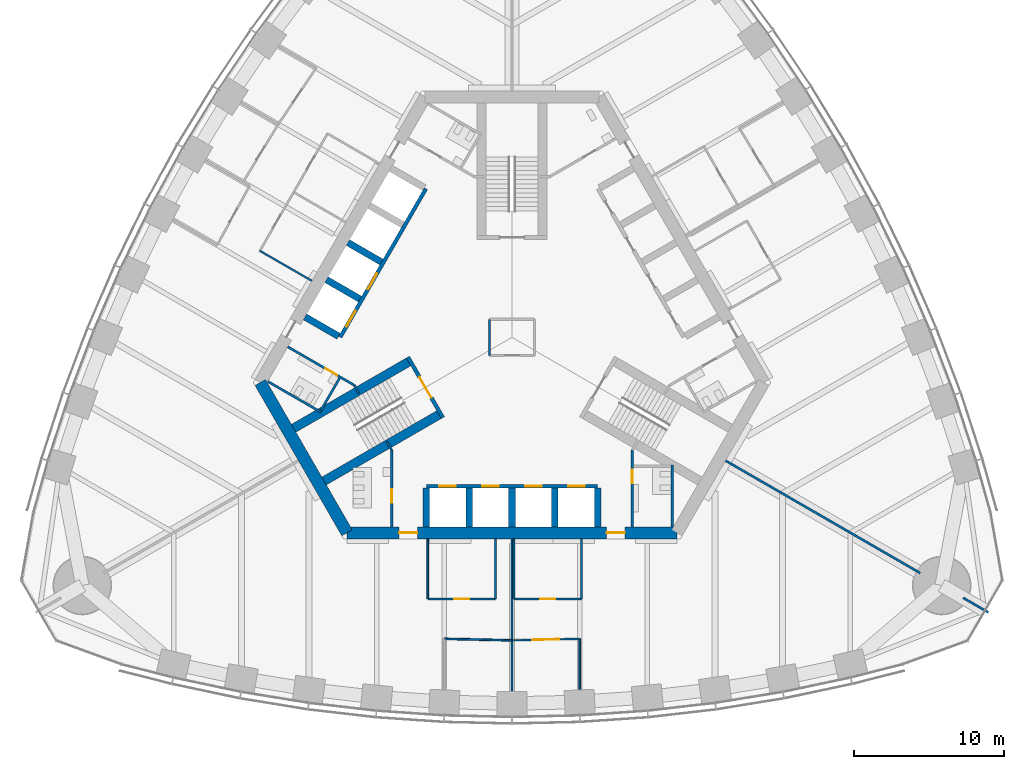
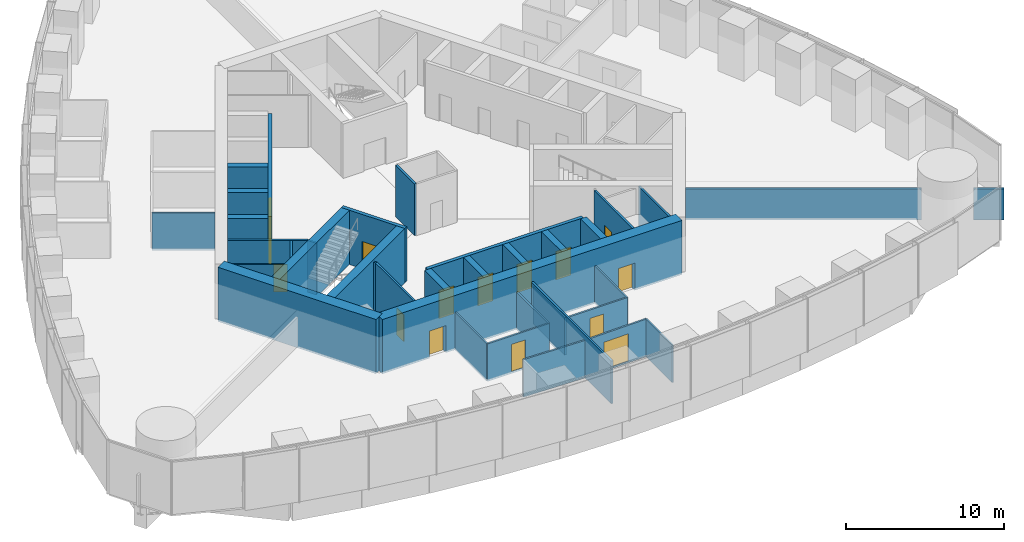
# One storey, part 11 of 18: 37 walls, 15 doors, 15 openings.
"""IFC4 building model written with IfcOpenShell, lengths in metres."""

from ifc_helpers import new_model, si_unit, direction, frame, frame_2d, origin, place, context, subcontext, project, spatial, rectangle, extrude, material, layer, layer_set, type_object, element, fill, save


model = new_model("IFC4")

# Units and contexts
model_context = context("Model", 3, precision=1e-05, world=origin(), true_north=direction((0.0, 1.0)))
body_context = subcontext(model_context, "Body", "Model", "MODEL_VIEW")
ifc_project = project(units=[si_unit("LENGTHUNIT", "METRE"), si_unit("AREAUNIT", "SQUARE_METRE"), si_unit("VOLUMEUNIT", "CUBIC_METRE"), si_unit("PLANEANGLEUNIT", "RADIAN"), si_unit("MASSUNIT", "GRAM", prefix="KILO")], contexts=[model_context])

# Site, building, storey
site_placement = place(None, origin())
site = spatial("IfcSite", under=ifc_project, at=site_placement, CompositionType="ELEMENT")
building_placement = place(site_placement, origin())
building = spatial("IfcBuilding", under=site, at=building_placement, Name="Trefoil Bronze Tower", CompositionType="ELEMENT")
storey_placement = place(building_placement, frame((0.0, 0.0, 202.300048828125)))
storey = spatial("IfcBuildingStorey", under=building, at=storey_placement, Name="L46", CompositionType="ELEMENT", Elevation=202.300048828125)

# Wall, openings, doors
ifc_material_1 = material(Name="Concrete B80", Category="concrete")
ifc_layer_1 = layer(ifc_material_1, 0.800048828125)
ifc_layer_set_1 = layer_set([ifc_layer_1], Name="Core wall 800")
wall_type_1 = type_object("IfcWallType", Name="Core wall 800", PredefinedType="SHEAR", material=ifc_layer_set_1)
wall_1_placement = place(storey_placement, frame((-10.9697265625, -13.0, 0.0), z_axis=(0.0, 0.0, 1.0), x_axis=(1.0, 0.0, 0.0)))
wall_1 = element("IfcWall", 1, at=wall_1_placement, inside=storey, type_object=wall_type_1, Name="Core long wall 1 L46", PredefinedType="SHEAR", context=body_context, shape_type="SweptSolid", body=[
    extrude(rectangle(XDim=21.939453125, YDim=0.800048828125, at=frame_2d((10.9697265625, 0.0))), origin(), (0.0, 0.0, 1.0), 4.199951171875),
])
opening_1_placement = place(wall_1_placement, frame((17.269775390625, 0.0, 0.0)))
opening_1 = element("IfcOpeningElement", 2, at=opening_1_placement, cuts=wall_1, Name="Opening D2", PredefinedType="OPENING", context=body_context, shape_type="SweptSolid", body=[
    extrude(rectangle(XDim=1.199951171875, YDim=2.10009765625, at=frame_2d((0.60009765625, 1.050048828125))), frame((0.0, 0.409912109375, 0.0), z_axis=(0.0, -1.0, 0.0), x_axis=(1.0, 0.0, 0.0)), (0.0, 0.0, 1.0), 0.820068359375),
])
opening_2_placement = place(wall_1_placement, frame((3.4697265625, 0.0, 0.0)))
opening_2 = element("IfcOpeningElement", 3, at=opening_2_placement, cuts=wall_1, Name="Opening D2", PredefinedType="OPENING", context=body_context, shape_type="SweptSolid", body=[
    extrude(rectangle(XDim=1.199951171875, YDim=2.10009765625, at=frame_2d((0.60009765625, 1.050048828125))), frame((0.0, 0.409912109375, 0.0), z_axis=(0.0, -1.0, 0.0), x_axis=(1.0, 0.0, 0.0)), (0.0, 0.0, 1.0), 0.820068359375),
])
ifc_material_2 = material(Name="Steel door", Category="steel")
door_type_1 = type_object("IfcDoorType", Name="Lobby door 1200", OperationType="SINGLE_SWING_RIGHT", PredefinedType="DOOR", material=ifc_material_2)
door_1_placement = place(opening_1_placement, origin())
door_1 = element("IfcDoor", 4, at=door_1_placement, inside=storey, type_object=door_type_1, Name="Lobby door F1+ L46", OperationType="SINGLE_SWING_RIGHT", OverallHeight=2.10009765625, OverallWidth=1.199951171875, PredefinedType="DOOR", context=body_context, shape_type="SweptSolid", body=[
    extrude(rectangle(XDim=1.199951171875, YDim=2.10009765625, at=frame_2d((0.60009765625, 1.050048828125))), frame((0.0, 0.02490234375, 0.0), z_axis=(0.0, -1.0, 0.0), x_axis=(1.0, 0.0, 0.0)), (0.0, 0.0, 1.0), 0.050048828125),
])
fill(opening_1, door_1)
door_2_placement = place(opening_2_placement, origin())
door_2 = element("IfcDoor", 5, at=door_2_placement, inside=storey, type_object=door_type_1, Name="Lobby door F1- L46", OperationType="SINGLE_SWING_LEFT", OverallHeight=2.10009765625, OverallWidth=1.199951171875, PredefinedType="DOOR", context=body_context, shape_type="SweptSolid", body=[
    extrude(rectangle(XDim=1.199951171875, YDim=2.10009765625, at=frame_2d((0.60009765625, 1.050048828125))), frame((0.0, 0.02490234375, 0.0), z_axis=(0.0, -1.0, 0.0), x_axis=(1.0, 0.0, 0.0)), (0.0, 0.0, 1.0), 0.050048828125),
])
fill(opening_2, door_2)

# Wall
wall_2_placement = place(storey_placement, frame((-16.7431640625, -3.0, 0.0), z_axis=(0.0, 0.0, 1.0), x_axis=(0.499995765644, -0.866027848477, 0.0)))
element("IfcWall", 6, at=wall_2_placement, inside=storey, type_object=wall_type_1, Name="Core short wall 3 L46", PredefinedType="SHEAR", context=body_context, shape_type="SweptSolid", body=[
    extrude(rectangle(XDim=11.546875, YDim=0.800048828125, at=frame_2d((5.7734375, 0.0))), origin(), (0.0, 0.0, 1.0), 4.199951171875),
])

# Wall, opening, door
ifc_material_3 = material(Name="Glazed partition", Category="glass")
ifc_layer_2 = layer(ifc_material_3, 0.1201171875)
ifc_layer_set_2 = layer_set([ifc_layer_2], Name="Glazed partition 120")
wall_type_2 = type_object("IfcWallType", Name="Glazed partition 120", PredefinedType="PARTITIONING", material=ifc_layer_set_2)
wall_3_placement = place(storey_placement, frame((0.125, -17.39990234375, 0.0), z_axis=(0.0, 0.0, 1.0), x_axis=(1.0, 0.0, 0.0)))
wall_3 = element("IfcWall", 7, at=wall_3_placement, inside=storey, type_object=wall_type_2, Name="Partition F1 L46", PredefinedType="PARTITIONING", context=body_context, shape_type="SweptSolid", body=[
    extrude(rectangle(XDim=4.5, YDim=0.1201171875, at=frame_2d((2.25, 0.0))), origin(), (0.0, 0.0, 1.0), 2.89990234375),
])
opening_3_placement = place(wall_3_placement, frame((1.75, 0.0, 0.14990234375)))
opening_3 = element("IfcOpeningElement", 8, at=opening_3_placement, cuts=wall_3, Name="Opening D9", PredefinedType="OPENING", context=body_context, shape_type="SweptSolid", body=[
    extrude(rectangle(XDim=1.0, YDim=2.10009765625, at=frame_2d((0.5, 1.050048828125))), frame((0.0, 0.070068359375, 0.0), z_axis=(0.0, -1.0, 0.0), x_axis=(1.0, 0.0, 0.0)), (0.0, 0.0, 1.0), 0.14013671875),
])
ifc_material_4 = material(Name="Glazed timber door", Category="wood")
door_type_2 = type_object("IfcDoorType", Name="Meeting room door 1000", OperationType="SINGLE_SWING_LEFT", PredefinedType="DOOR", material=ifc_material_4)
door_3_placement = place(opening_3_placement, origin())
door_3 = element("IfcDoor", 9, at=door_3_placement, inside=storey, type_object=door_type_2, Name="Project room door F1 L46", OperationType="SINGLE_SWING_LEFT", OverallHeight=2.10009765625, OverallWidth=1.0, PredefinedType="DOOR", context=body_context, shape_type="SweptSolid", body=[
    extrude(rectangle(XDim=1.0, YDim=2.10009765625, at=frame_2d((0.5, 1.050048828125))), frame((0.0, 0.02490234375, 0.0), z_axis=(0.0, -1.0, 0.0), x_axis=(1.0, 0.0, 0.0)), (0.0, 0.0, 1.0), 0.050048828125),
])
fill(opening_3, door_3)

wall_4_placement = place(storey_placement, frame((-5.60009765625, -17.39990234375, 0.0), z_axis=(0.0, 0.0, 1.0), x_axis=(1.0, 0.0, 0.0)))
wall_4 = element("IfcWall", 10, at=wall_4_placement, inside=storey, type_object=wall_type_2, Name="Partition F1 L46", PredefinedType="PARTITIONING", context=body_context, shape_type="SweptSolid", body=[
    extrude(rectangle(XDim=4.5, YDim=0.1201171875, at=frame_2d((2.25, 0.0))), origin(), (0.0, 0.0, 1.0), 2.89990234375),
])
opening_4_placement = place(wall_4_placement, frame((1.75, 0.0, 0.14990234375)))
opening_4 = element("IfcOpeningElement", 11, at=opening_4_placement, cuts=wall_4, Name="Opening D9", PredefinedType="OPENING", context=body_context, shape_type="SweptSolid", body=[
    extrude(rectangle(XDim=1.0, YDim=2.10009765625, at=frame_2d((0.5, 1.050048828125))), frame((0.0, 0.070068359375, 0.0), z_axis=(0.0, -1.0, 0.0), x_axis=(1.0, 0.0, 0.0)), (0.0, 0.0, 1.0), 0.14013671875),
])
door_4_placement = place(opening_4_placement, origin())
door_4 = element("IfcDoor", 12, at=door_4_placement, inside=storey, type_object=door_type_2, Name="Project room door F1 L46", OperationType="SINGLE_SWING_LEFT", OverallHeight=2.10009765625, OverallWidth=1.0, PredefinedType="DOOR", context=body_context, shape_type="SweptSolid", body=[
    extrude(rectangle(XDim=1.0, YDim=2.10009765625, at=frame_2d((0.5, 1.050048828125))), frame((0.0, 0.02490234375, 0.0), z_axis=(0.0, -1.0, 0.0), x_axis=(1.0, 0.0, 0.0)), (0.0, 0.0, 1.0), 0.050048828125),
])
fill(opening_4, door_4)

# Walls
for number, where, z_axis, x_axis, name in (
    (13, (0.125, -13.39990234375, 0.0), (0.0, 0.0, 1.0), (0.0, -1.0, 0.0), "Partition F1 L46"),
    (14, (4.625, -13.39990234375, 0.0), (0.0, 0.0, 1.0), (0.0, -1.0, 0.0), "Partition F1 L46"),
    (15, (-1.10009765625, -13.39990234375, 0.0), (0.0, 0.0, 1.0), (0.0, -1.0, 0.0), "Partition F1 L46"),
    (16, (-5.60009765625, -13.39990234375, 0.0), (0.0, 0.0, 1.0), (0.0, -1.0, 0.0), "Partition F1 L46"),
):
    element("IfcWall", number, at=place(storey_placement, frame(where, z_axis=z_axis, x_axis=x_axis)), inside=storey, type_object=wall_type_2, Name=name, PredefinedType="PARTITIONING", context=body_context, shape_type="SweptSolid", body=[
        extrude(rectangle(XDim=4.0, YDim=0.1201171875, at=frame_2d((2.0, 0.0))), origin(), (0.0, 0.0, 1.0), 2.89990234375),
    ])

# Wall, opening, door
wall_5_placement = place(storey_placement, frame((0.0, -20.150634765625, 0.0), z_axis=(0.0, 0.0, 1.0), x_axis=(0.99973552509, 0.022997388381, 0.0)))
wall_5 = element("IfcWall", 17, at=wall_5_placement, inside=storey, type_object=wall_type_2, Name="Partition F1 L46", PredefinedType="PARTITIONING", context=body_context, shape_type="SweptSolid", body=[
    extrude(rectangle(XDim=4.501220703125, YDim=0.1201171875, at=frame_2d((2.25048828125, 0.0))), origin(), (0.0, 0.0, 1.0), 2.89990234375),
])
opening_5_placement = place(wall_5_placement, frame((1.35009765625, 0.0, 0.14990234375)))
opening_5 = element("IfcOpeningElement", 18, at=opening_5_placement, cuts=wall_5, Name="Opening D10", PredefinedType="OPENING", context=body_context, shape_type="SweptSolid", body=[
    extrude(rectangle(XDim=1.800048828125, YDim=2.10009765625, at=frame_2d((0.89990234375, 1.050048828125))), frame((0.0, 0.070068359375, 0.0), z_axis=(0.0, -1.0, 0.0), x_axis=(1.0, 0.0, 0.0)), (0.0, 0.0, 1.0), 0.14013671875),
])
ifc_material_5 = material(Name="Timber door", Category="wood")
door_type_3 = type_object("IfcDoorType", Name="Double door 1800", OperationType="DOUBLE_DOOR_SINGLE_SWING", PredefinedType="DOOR", material=ifc_material_5)
door_5_placement = place(opening_5_placement, frame((1.800048828125, 0.0, 0.0), z_axis=(0.0, 0.0, 1.0), x_axis=(-1.0, 0.0, 0.0)))
door_5 = element("IfcDoor", 19, at=door_5_placement, inside=storey, type_object=door_type_3, Name="Kitchen and breakout door F1 L46", OperationType="DOUBLE_DOOR_SINGLE_SWING", OverallHeight=2.10009765625, OverallWidth=1.800048828125, PredefinedType="DOOR", context=body_context, shape_type="SweptSolid", body=[
    extrude(rectangle(XDim=1.800048828125, YDim=2.10009765625, at=frame_2d((0.89990234375, 1.050048828125))), frame((0.0, 0.02490234375, 0.0), z_axis=(0.0, -1.0, 0.0), x_axis=(1.0, 0.0, 0.0)), (0.0, 0.0, 1.0), 0.050048828125),
])
fill(opening_5, door_5)

# Walls
wall_6_placement = place(storey_placement, frame((-4.5, -20.047119140625, 0.0), z_axis=(0.0, 0.0, 1.0), x_axis=(0.99973552509, -0.022997388381, 0.0)))
element("IfcWall", 20, at=wall_6_placement, inside=storey, type_object=wall_type_2, Name="Partition F1 L46", PredefinedType="PARTITIONING", context=body_context, shape_type="SweptSolid", body=[
    extrude(rectangle(XDim=4.501220703125, YDim=0.1201171875, at=frame_2d((2.25048828125, 0.0))), origin(), (0.0, 0.0, 1.0), 2.89990234375),
])
wall_7_placement = place(storey_placement, frame((4.5, -20.047119140625, 0.0), z_axis=(0.0, 0.0, 1.0), x_axis=(0.0, -1.0, 0.0)))
element("IfcWall", 21, at=wall_7_placement, inside=storey, type_object=wall_type_2, Name="Partition F1 L46", PredefinedType="PARTITIONING", context=body_context, shape_type="SweptSolid", body=[
    extrude(rectangle(XDim=3.368408203125, YDim=0.1201171875, at=frame_2d((1.68408203125, 0.0))), origin(), (0.0, 0.0, 1.0), 2.89990234375),
])
wall_8_placement = place(storey_placement, frame((-13.3046875, 3.755615234375, 0.0), z_axis=(0.0, 0.0, 1.0), x_axis=(-0.866026010844, 0.49999894854, 0.0)))
element("IfcWall", 22, at=wall_8_placement, inside=storey, type_object=wall_type_2, Name="Partition F3 L46", PredefinedType="PARTITIONING", context=body_context, shape_type="SweptSolid", body=[
    extrude(rectangle(XDim=4.0, YDim=0.1201171875, at=frame_2d((2.0, 0.0))), origin(), (0.0, 0.0, 1.0), 2.89990234375),
])
ifc_material_6 = material(Name="Concrete B80", Category="concrete")
ifc_layer_3 = layer(ifc_material_6, 0.449951171875)
ifc_layer_set_3 = layer_set([ifc_layer_3], Name="Outrigger shaft wall 450")
wall_type_3 = type_object("IfcWallType", Name="Outrigger shaft wall 450", PredefinedType="SHEAR", material=ifc_layer_set_3)
for number, where, z_axis, x_axis, name in (
    (23, (-5.699951171875, -10.02490234375, 0.0), (0.0, 0.0, 1.0), (0.0, -1.0, 0.0), "Lift shaft side wall A0 L46"),
    (24, (-2.85009765625, -10.02490234375, 0.0), (0.0, 0.0, 1.0), (0.0, -1.0, 0.0), "Lift shaft side wall A1 L46"),
    (25, (0.0, -10.02490234375, 0.0), (0.0, 0.0, 1.0), (0.0, -1.0, 0.0), "Lift shaft side wall A2 L46"),
    (26, (2.85009765625, -10.02490234375, 0.0), (0.0, 0.0, 1.0), (0.0, -1.0, 0.0), "Lift shaft side wall A3 L46"),
    (27, (5.699951171875, -10.02490234375, 0.0), (0.0, 0.0, 1.0), (0.0, -1.0, 0.0), "Lift shaft side wall A4 L46"),
):
    element("IfcWall", number, at=place(storey_placement, frame(where, z_axis=z_axis, x_axis=x_axis)), inside=storey, type_object=wall_type_3, Name=name, PredefinedType="SHEAR", context=body_context, shape_type="SweptSolid", body=[
        extrude(rectangle(XDim=2.5751953125, YDim=0.449951171875, at=frame_2d((1.28759765625, 0.0))), origin(), (0.0, 0.0, 1.0), 4.199951171875),
    ])
for number, where, z_axis, x_axis, name in (
    (28, (-8.681884765625, 5.012451171875, 0.0), (0.0, 0.0, 1.0), (-0.866005588531, 0.500034319456, 0.0), "Lift shaft side wall C2 L46"),
    (29, (-10.10693359375, 2.54443359375, 0.0), (0.0, 0.0, 1.0), (-0.866046643894, 0.499963209246, 0.0), "Lift shaft side wall C3 L46"),
    (30, (-11.531982421875, 0.076171875, 0.0), (0.0, 0.0, 1.0), (-0.866005588531, 0.500034319456, 0.0), "Lift shaft side wall C4 L46"),
):
    element("IfcWall", number, at=place(storey_placement, frame(where, z_axis=z_axis, x_axis=x_axis)), inside=storey, type_object=wall_type_3, Name=name, PredefinedType="SHEAR", context=body_context, shape_type="SweptSolid", body=[
        extrude(rectangle(XDim=2.574951171875, YDim=0.449951171875, at=frame_2d((1.28759765625, 0.0))), origin(), (0.0, 0.0, 1.0), 4.199951171875),
    ])

# Wall, opening, door
ifc_material_7 = material(Name="Gypsum board on steel studs", Category="steel")
ifc_layer_4 = layer(ifc_material_7, 0.14990234375)
ifc_layer_set_4 = layer_set([ifc_layer_4], Name="Partition 150")
wall_type_4 = type_object("IfcWallType", Name="Partition 150", PredefinedType="PARTITIONING", material=ifc_layer_set_4)
wall_9_placement = place(storey_placement, frame((8.0, -7.5, 0.0), z_axis=(0.0, 0.0, 1.0), x_axis=(0.0, -1.0, 0.0)))
wall_9 = element("IfcWall", 31, at=wall_9_placement, inside=storey, type_object=wall_type_4, Name="Passage wall F1+ L46", PredefinedType="PARTITIONING", context=body_context, shape_type="SweptSolid", body=[
    extrude(rectangle(XDim=5.10009765625, YDim=0.14990234375, at=frame_2d((2.550048828125, 0.0))), origin(), (0.0, 0.0, 1.0), 4.0),
])
opening_6_placement = place(wall_9_placement, frame((1.300048828125, 0.0, 0.0)))
opening_6 = element("IfcOpeningElement", 32, at=opening_6_placement, cuts=wall_9, Name="Opening D3", PredefinedType="OPENING", context=body_context, shape_type="SweptSolid", body=[
    extrude(rectangle(XDim=0.89990234375, YDim=2.10009765625, at=frame_2d((0.449951171875, 1.050048828125))), frame((0.0, 0.0849609375, 0.0), z_axis=(0.0, -1.0, 0.0), x_axis=(1.0, 0.0, 0.0)), (0.0, 0.0, 1.0), 0.169921875),
])
ifc_material_8 = material(Name="Timber door", Category="wood")
door_type_4 = type_object("IfcDoorType", Name="WC door 900", OperationType="SINGLE_SWING_LEFT", PredefinedType="DOOR", material=ifc_material_8)
door_6_placement = place(opening_6_placement, origin())
door_6 = element("IfcDoor", 33, at=door_6_placement, inside=storey, type_object=door_type_4, Name="WC (men) door L46", OperationType="SINGLE_SWING_LEFT", OverallHeight=2.10009765625, OverallWidth=0.89990234375, PredefinedType="DOOR", context=body_context, shape_type="SweptSolid", body=[
    extrude(rectangle(XDim=0.89990234375, YDim=2.10009765625, at=frame_2d((0.449951171875, 1.050048828125))), frame((0.0, 0.02490234375, 0.0), z_axis=(0.0, -1.0, 0.0), x_axis=(1.0, 0.0, 0.0)), (0.0, 0.0, 1.0), 0.050048828125),
])
fill(opening_6, door_6)

wall_10_placement = place(storey_placement, frame((-8.0, -7.5, 0.0), z_axis=(0.0, 0.0, 1.0), x_axis=(0.0, -1.0, 0.0)))
wall_10 = element("IfcWall", 34, at=wall_10_placement, inside=storey, type_object=wall_type_4, Name="Passage wall F1- L46", PredefinedType="PARTITIONING", context=body_context, shape_type="SweptSolid", body=[
    extrude(rectangle(XDim=5.10009765625, YDim=0.14990234375, at=frame_2d((2.550048828125, 0.0))), origin(), (0.0, 0.0, 1.0), 4.0),
])
opening_7_placement = place(wall_10_placement, frame((2.60009765625, 0.0, 0.0)))
opening_7 = element("IfcOpeningElement", 35, at=opening_7_placement, cuts=wall_10, Name="Opening D3", PredefinedType="OPENING", context=body_context, shape_type="SweptSolid", body=[
    extrude(rectangle(XDim=0.89990234375, YDim=2.10009765625, at=frame_2d((0.449951171875, 1.050048828125))), frame((0.0, 0.0849609375, 0.0), z_axis=(0.0, -1.0, 0.0), x_axis=(1.0, 0.0, 0.0)), (0.0, 0.0, 1.0), 0.169921875),
])
door_7_placement = place(opening_7_placement, frame((0.89990234375, 0.0, 0.0), z_axis=(0.0, 0.0, 1.0), x_axis=(-1.0, 0.0, 0.0)))
door_7 = element("IfcDoor", 36, at=door_7_placement, inside=storey, type_object=door_type_4, Name="WC (women) door L46", OperationType="SINGLE_SWING_LEFT", OverallHeight=2.10009765625, OverallWidth=0.89990234375, PredefinedType="DOOR", context=body_context, shape_type="SweptSolid", body=[
    extrude(rectangle(XDim=0.89990234375, YDim=2.10009765625, at=frame_2d((0.449951171875, 1.050048828125))), frame((0.0, 0.02490234375, 0.0), z_axis=(0.0, -1.0, 0.0), x_axis=(1.0, 0.0, 0.0)), (0.0, 0.0, 1.0), 0.050048828125),
])
fill(opening_7, door_7)

wall_11_placement = place(storey_placement, frame((-10.4951171875, -3.17822265625, 0.0), z_axis=(0.0, 0.0, 1.0), x_axis=(-0.86602216432, 0.500005610874, 0.0)))
wall_11 = element("IfcWall", 37, at=wall_11_placement, inside=storey, type_object=wall_type_4, Name="Passage wall F3+ L46", PredefinedType="PARTITIONING", context=body_context, shape_type="SweptSolid", body=[
    extrude(rectangle(XDim=5.10009765625, YDim=0.14990234375, at=frame_2d((2.550048828125, 0.0))), origin(), (0.0, 0.0, 1.0), 4.0),
])
opening_8_placement = place(wall_11_placement, frame((1.300048828125, 0.0, 0.0)))
opening_8 = element("IfcOpeningElement", 38, at=opening_8_placement, cuts=wall_11, Name="Opening D3", PredefinedType="OPENING", context=body_context, shape_type="SweptSolid", body=[
    extrude(rectangle(XDim=0.89990234375, YDim=2.10009765625, at=frame_2d((0.449951171875, 1.050048828125))), frame((0.0, 0.0849609375, 0.0), z_axis=(0.0, -1.0, 0.0), x_axis=(1.0, 0.0, 0.0)), (0.0, 0.0, 1.0), 0.169921875),
])
door_8_placement = place(opening_8_placement, origin())
door_8 = element("IfcDoor", 39, at=door_8_placement, inside=storey, type_object=door_type_4, Name="WC (men) door L46", OperationType="SINGLE_SWING_LEFT", OverallHeight=2.10009765625, OverallWidth=0.89990234375, PredefinedType="DOOR", context=body_context, shape_type="SweptSolid", body=[
    extrude(rectangle(XDim=0.89990234375, YDim=2.10009765625, at=frame_2d((0.449951171875, 1.050048828125))), frame((0.0, 0.02490234375, 0.0), z_axis=(0.0, -1.0, 0.0), x_axis=(1.0, 0.0, 0.0)), (0.0, 0.0, 1.0), 0.050048828125),
])
fill(opening_8, door_8)

# Walls
for number, where, z_axis, x_axis, name in (
    (40, (-10.4951171875, -3.17822265625, 0.0), (0.0, 0.0, 1.0), (0.499842556608, -0.866116284689, 0.0), "WC wall ST3-1 L46"),
    (41, (-8.0, -7.5, 0.0), (0.0, 0.0, 1.0), (-0.499842556608, 0.866116284689, 0.0), "WC wall ST3+1 L46"),
):
    element("IfcWall", number, at=place(storey_placement, frame(where, z_axis=z_axis, x_axis=x_axis)), inside=storey, type_object=wall_type_4, Name=name, PredefinedType="PARTITIONING", context=body_context, shape_type="SweptSolid", body=[
        extrude(rectangle(XDim=0.645263671875, YDim=0.14990234375, at=frame_2d((0.32275390625, 0.0))), origin(), (0.0, 0.0, 1.0), 4.0),
    ])
for number, where, z_axis, x_axis, name in (
    (42, (10.659912109375, -8.5, 0.0), (0.0, 0.0, 1.0), (0.0, -1.0, 0.0), "WC partition WC (men) L46"),
    (43, (-12.691162109375, -4.98193359375, 0.0), (0.0, 0.0, 1.0), (-0.8660249478, 0.500000789788, 0.0), "WC partition WC (men) L46"),
):
    element("IfcWall", number, at=place(storey_placement, frame(where, z_axis=z_axis, x_axis=x_axis)), inside=storey, type_object=wall_type_4, Name=name, PredefinedType="PARTITIONING", context=body_context, shape_type="SweptSolid", body=[
        extrude(rectangle(XDim=4.10009765625, YDim=0.14990234375, at=frame_2d((2.050048828125, 0.0))), origin(), (0.0, 0.0, 1.0), 4.0),
    ])
wall_12_placement = place(storey_placement, frame((-11.463623046875, -2.70556640625, 0.0), z_axis=(0.0, 0.0, 1.0), x_axis=(-0.50001992892, -0.866013897511, 0.0)))
element("IfcWall", 44, at=wall_12_placement, inside=storey, type_object=wall_type_4, Name="WC partition WC (men) L46", PredefinedType="PARTITIONING", context=body_context, shape_type="SweptSolid", body=[
    extrude(rectangle(XDim=2.51025390625, YDim=0.14990234375, at=frame_2d((1.255126953125, 0.0))), origin(), (0.0, 0.0, 1.0), 4.0),
])
ifc_material_9 = material(Name="Gypsum board on steel studs", Category="steel")
ifc_layer_5 = layer(ifc_material_9, 0.14990234375)
ifc_layer_set_5 = layer_set([ifc_layer_5], Name="Party wall 150")
wall_type_5 = type_object("IfcWallType", Name="Party wall 150", PredefinedType="PARTITIONING", material=ifc_layer_set_5)
wall_13_placement = place(storey_placement, frame((14.202880859375, -8.199951171875, 0.0), z_axis=(0.0, 0.0, 1.0), x_axis=(0.866021600284, -0.500006587798, 0.0)))
element("IfcWall", 45, at=wall_13_placement, inside=storey, type_object=wall_type_5, Name="Party wall K1 L46", PredefinedType="PARTITIONING", context=body_context, shape_type="SweptSolid", body=[
    extrude(rectangle(XDim=14.949951171875, YDim=0.14990234375, at=frame_2d((7.47509765625, 0.0))), origin(), (0.0, 0.0, 1.0), 2.39990234375),
])
wall_14_placement = place(storey_placement, frame((30.0078125, -17.324951171875, 0.0), z_axis=(0.0, 0.0, 1.0), x_axis=(0.866013246922, -0.500021055713, 0.0)))
element("IfcWall", 46, at=wall_14_placement, inside=storey, type_object=wall_type_5, Name="Party wall K1 L46", PredefinedType="PARTITIONING", context=body_context, shape_type="SweptSolid", body=[
    extrude(rectangle(XDim=1.9345703125, YDim=0.14990234375, at=frame_2d((0.96728515625, 0.0))), origin(), (0.0, 0.0, 1.0), 2.39990234375),
])
wall_15_placement = place(storey_placement, frame((0.0, -13.409912109375, 0.0), z_axis=(0.0, 0.0, 1.0), x_axis=(0.0, -1.0, 0.0)))
element("IfcWall", 47, at=wall_15_placement, inside=storey, type_object=wall_type_5, Name="Demising wall F1 L46", PredefinedType="PARTITIONING", context=body_context, shape_type="SweptSolid", body=[
    extrude(rectangle(XDim=10.11083984375, YDim=0.14990234375, at=frame_2d((5.055419921875, 0.0))), origin(), (0.0, 0.0, 1.0), 3.300048828125),
])
ifc_material_10 = material(Name="Gypsum board on steel studs", Category="steel")
ifc_layer_6 = layer(ifc_material_10, 0.14990234375)
ifc_layer_set_6 = layer_set([ifc_layer_6], Name="Riser wall 150")
wall_type_6 = type_object("IfcWallType", Name="Riser wall 150", PredefinedType="PARTITIONING", material=ifc_layer_set_6)
wall_16_placement = place(storey_placement, frame((-1.5, 1.199951171875, 0.0), z_axis=(0.0, 0.0, 1.0), x_axis=(0.0, -1.0, 0.0)))
element("IfcWall", 48, at=wall_16_placement, inside=storey, type_object=wall_type_6, Name="Riser wall L46", PredefinedType="PARTITIONING", context=body_context, shape_type="SweptSolid", body=[
    extrude(rectangle(XDim=2.39990234375, YDim=0.14990234375, at=frame_2d((1.199951171875, 0.0))), origin(), (0.0, 0.0, 1.0), 4.0),
])

# Wall, openings, doors
ifc_material_11 = material(Name="Concrete B80", Category="concrete")
ifc_layer_7 = layer(ifc_material_11, 0.25)
ifc_layer_set_7 = layer_set([ifc_layer_7], Name="Shaft wall 250")
wall_type_7 = type_object("IfcWallType", Name="Shaft wall 250", PredefinedType="SHEAR", material=ifc_layer_set_7)
wall_17_placement = place(storey_placement, frame((-5.699951171875, -9.89990234375, 0.0), z_axis=(0.0, 0.0, 1.0), x_axis=(1.0, 0.0, 0.0)))
wall_17 = element("IfcWall", 49, at=wall_17_placement, inside=storey, type_object=wall_type_7, Name="Lift shaft front wall A L46", PredefinedType="SHEAR", context=body_context, shape_type="SweptSolid", body=[
    extrude(rectangle(XDim=11.39990234375, YDim=0.25, at=frame_2d((5.699951171875, 0.0))), origin(), (0.0, 0.0, 1.0), 4.199951171875),
])
opening_9_placement = place(wall_17_placement, frame((0.875, 0.0, 0.0)))
opening_9 = element("IfcOpeningElement", 50, at=opening_9_placement, cuts=wall_17, Name="Opening LD-P31", PredefinedType="OPENING", context=body_context, shape_type="SweptSolid", body=[
    extrude(rectangle(XDim=1.10009765625, YDim=2.199951171875, at=frame_2d((0.550048828125, 1.10009765625))), frame((0.0, 0.135009765625, 0.0), z_axis=(0.0, -1.0, 0.0), x_axis=(1.0, 0.0, 0.0)), (0.0, 0.0, 1.0), 0.27001953125),
])
opening_10_placement = place(wall_17_placement, frame((3.72509765625, 0.0, 0.0)))
opening_10 = element("IfcOpeningElement", 51, at=opening_10_placement, cuts=wall_17, Name="Opening LD-P32", PredefinedType="OPENING", context=body_context, shape_type="SweptSolid", body=[
    extrude(rectangle(XDim=1.10009765625, YDim=2.199951171875, at=frame_2d((0.550048828125, 1.10009765625))), frame((0.0, 0.135009765625, 0.0), z_axis=(0.0, -1.0, 0.0), x_axis=(1.0, 0.0, 0.0)), (0.0, 0.0, 1.0), 0.27001953125),
])
opening_11_placement = place(wall_17_placement, frame((6.574951171875, 0.0, 0.0)))
opening_11 = element("IfcOpeningElement", 52, at=opening_11_placement, cuts=wall_17, Name="Opening LD-P33", PredefinedType="OPENING", context=body_context, shape_type="SweptSolid", body=[
    extrude(rectangle(XDim=1.10009765625, YDim=2.199951171875, at=frame_2d((0.550048828125, 1.10009765625))), frame((0.0, 0.135009765625, 0.0), z_axis=(0.0, -1.0, 0.0), x_axis=(1.0, 0.0, 0.0)), (0.0, 0.0, 1.0), 0.27001953125),
])
opening_12_placement = place(wall_17_placement, frame((9.425048828125, 0.0, 0.0)))
opening_12 = element("IfcOpeningElement", 53, at=opening_12_placement, cuts=wall_17, Name="Opening LD-P34", PredefinedType="OPENING", context=body_context, shape_type="SweptSolid", body=[
    extrude(rectangle(XDim=1.10009765625, YDim=2.199951171875, at=frame_2d((0.550048828125, 1.10009765625))), frame((0.0, 0.135009765625, 0.0), z_axis=(0.0, -1.0, 0.0), x_axis=(1.0, 0.0, 0.0)), (0.0, 0.0, 1.0), 0.27001953125),
])
ifc_material_12 = material(Name="Steel door", Category="steel")
door_type_5 = type_object("IfcDoorType", Name="Lift landing door 1100", OperationType="DOUBLE_DOOR_SLIDING", PredefinedType="DOOR", material=ifc_material_12)
door_9_placement = place(opening_9_placement, origin())
door_9 = element("IfcDoor", 54, at=door_9_placement, inside=storey, type_object=door_type_5, Name="Lift P31 landing door L46", OperationType="DOUBLE_DOOR_SLIDING", OverallHeight=2.199951171875, OverallWidth=1.10009765625, PredefinedType="DOOR", context=body_context, shape_type="SweptSolid", body=[
    extrude(rectangle(XDim=1.10009765625, YDim=2.199951171875, at=frame_2d((0.550048828125, 1.10009765625))), frame((0.0, 0.02490234375, 0.0), z_axis=(0.0, -1.0, 0.0), x_axis=(1.0, 0.0, 0.0)), (0.0, 0.0, 1.0), 0.050048828125),
])
fill(opening_9, door_9)
door_10_placement = place(opening_10_placement, origin())
door_10 = element("IfcDoor", 55, at=door_10_placement, inside=storey, type_object=door_type_5, Name="Lift P32 landing door L46", OperationType="DOUBLE_DOOR_SLIDING", OverallHeight=2.199951171875, OverallWidth=1.10009765625, PredefinedType="DOOR", context=body_context, shape_type="SweptSolid", body=[
    extrude(rectangle(XDim=1.10009765625, YDim=2.199951171875, at=frame_2d((0.550048828125, 1.10009765625))), frame((0.0, 0.02490234375, 0.0), z_axis=(0.0, -1.0, 0.0), x_axis=(1.0, 0.0, 0.0)), (0.0, 0.0, 1.0), 0.050048828125),
])
fill(opening_10, door_10)
door_11_placement = place(opening_11_placement, origin())
door_11 = element("IfcDoor", 56, at=door_11_placement, inside=storey, type_object=door_type_5, Name="Lift P33 landing door L46", OperationType="DOUBLE_DOOR_SLIDING", OverallHeight=2.199951171875, OverallWidth=1.10009765625, PredefinedType="DOOR", context=body_context, shape_type="SweptSolid", body=[
    extrude(rectangle(XDim=1.10009765625, YDim=2.199951171875, at=frame_2d((0.550048828125, 1.10009765625))), frame((0.0, 0.02490234375, 0.0), z_axis=(0.0, -1.0, 0.0), x_axis=(1.0, 0.0, 0.0)), (0.0, 0.0, 1.0), 0.050048828125),
])
fill(opening_11, door_11)
door_12_placement = place(opening_12_placement, origin())
door_12 = element("IfcDoor", 57, at=door_12_placement, inside=storey, type_object=door_type_5, Name="Lift P34 landing door L46", OperationType="DOUBLE_DOOR_SLIDING", OverallHeight=2.199951171875, OverallWidth=1.10009765625, PredefinedType="DOOR", context=body_context, shape_type="SweptSolid", body=[
    extrude(rectangle(XDim=1.10009765625, YDim=2.199951171875, at=frame_2d((0.550048828125, 1.10009765625))), frame((0.0, 0.02490234375, 0.0), z_axis=(0.0, -1.0, 0.0), x_axis=(1.0, 0.0, 0.0)), (0.0, 0.0, 1.0), 0.050048828125),
])
fill(opening_12, door_12)

wall_18_placement = place(storey_placement, frame((-5.7236328125, 9.88623046875, 0.0), z_axis=(0.0, 0.0, 1.0), x_axis=(-0.500001763848, -0.866024385424, 0.0)))
wall_18 = element("IfcWall", 58, at=wall_18_placement, inside=storey, type_object=wall_type_7, Name="Lift shaft front wall C L46", PredefinedType="SHEAR", context=body_context, shape_type="SweptSolid", body=[
    extrude(rectangle(XDim=11.39990234375, YDim=0.25, at=frame_2d((5.699951171875, 0.0))), origin(), (0.0, 0.0, 1.0), 4.199951171875),
])
opening_13_placement = place(wall_18_placement, frame((6.52490234375, 0.0, 0.0)))
opening_13 = element("IfcOpeningElement", 59, at=opening_13_placement, cuts=wall_18, Name="Opening LD-FL1", PredefinedType="OPENING", context=body_context, shape_type="SweptSolid", body=[
    extrude(rectangle(XDim=1.199951171875, YDim=2.199951171875, at=frame_2d((0.60009765625, 1.10009765625))), frame((0.0, 0.135009765625, 0.0), z_axis=(0.0, -1.0, 0.0), x_axis=(1.0, 0.0, 0.0)), (0.0, 0.0, 1.0), 0.27001953125),
])
opening_14_placement = place(wall_18_placement, frame((9.375, 0.0, 0.0)))
opening_14 = element("IfcOpeningElement", 60, at=opening_14_placement, cuts=wall_18, Name="Opening LD-FL2", PredefinedType="OPENING", context=body_context, shape_type="SweptSolid", body=[
    extrude(rectangle(XDim=1.199951171875, YDim=2.199951171875, at=frame_2d((0.60009765625, 1.10009765625))), frame((0.0, 0.135009765625, 0.0), z_axis=(0.0, -1.0, 0.0), x_axis=(1.0, 0.0, 0.0)), (0.0, 0.0, 1.0), 0.27001953125),
])
ifc_material_13 = material(Name="Steel door", Category="steel")
door_type_6 = type_object("IfcDoorType", Name="Lift landing door 1200", OperationType="DOUBLE_DOOR_SLIDING", PredefinedType="DOOR", material=ifc_material_13)
door_13_placement = place(opening_13_placement, origin())
door_13 = element("IfcDoor", 61, at=door_13_placement, inside=storey, type_object=door_type_6, Name="Lift FL1 landing door L46", OperationType="DOUBLE_DOOR_SLIDING", OverallHeight=2.199951171875, OverallWidth=1.199951171875, PredefinedType="DOOR", context=body_context, shape_type="SweptSolid", body=[
    extrude(rectangle(XDim=1.199951171875, YDim=2.199951171875, at=frame_2d((0.60009765625, 1.10009765625))), frame((0.0, 0.02490234375, 0.0), z_axis=(0.0, -1.0, 0.0), x_axis=(1.0, 0.0, 0.0)), (0.0, 0.0, 1.0), 0.050048828125),
])
fill(opening_13, door_13)
door_14_placement = place(opening_14_placement, origin())
door_14 = element("IfcDoor", 62, at=door_14_placement, inside=storey, type_object=door_type_6, Name="Lift FL2 landing door L46", OperationType="DOUBLE_DOOR_SLIDING", OverallHeight=2.199951171875, OverallWidth=1.199951171875, PredefinedType="DOOR", context=body_context, shape_type="SweptSolid", body=[
    extrude(rectangle(XDim=1.199951171875, YDim=2.199951171875, at=frame_2d((0.60009765625, 1.10009765625))), frame((0.0, 0.02490234375, 0.0), z_axis=(0.0, -1.0, 0.0), x_axis=(1.0, 0.0, 0.0)), (0.0, 0.0, 1.0), 0.050048828125),
])
fill(opening_14, door_14)

# Wall, opening, door
wall_19_placement = place(storey_placement, frame((-6.921630859375, -1.3115234375, 0.0), z_axis=(0.0, 0.0, 1.0), x_axis=(0.499984536904, -0.866034331223, 0.0)))
wall_19 = element("IfcWall", 63, at=wall_19_placement, inside=storey, type_object=wall_type_7, Name="Stair end wall ST3 L46", PredefinedType="SHEAR", context=body_context, shape_type="SweptSolid", body=[
    extrude(rectangle(XDim=4.650146484375, YDim=0.25, at=frame_2d((2.3251953125, 0.0))), origin(), (0.0, 0.0, 1.0), 4.199951171875),
])
opening_15_placement = place(wall_19_placement, frame((1.52490234375, 0.0, 0.0)))
opening_15 = element("IfcOpeningElement", 64, at=opening_15_placement, cuts=wall_19, Name="Opening D1", PredefinedType="OPENING", context=body_context, shape_type="SweptSolid", body=[
    extrude(rectangle(XDim=1.60009765625, YDim=2.10009765625, at=frame_2d((0.800048828125, 1.050048828125))), frame((0.0, 0.135009765625, 0.0), z_axis=(0.0, -1.0, 0.0), x_axis=(1.0, 0.0, 0.0)), (0.0, 0.0, 1.0), 0.27001953125),
])
ifc_material_14 = material(Name="Steel door", Category="steel")
door_type_7 = type_object("IfcDoorType", Name="Stair door 1600", OperationType="DOUBLE_DOOR_SINGLE_SWING", PredefinedType="DOOR", material=ifc_material_14)
door_15_placement = place(opening_15_placement, frame((1.60009765625, 0.0, 0.0), z_axis=(0.0, 0.0, 1.0), x_axis=(-1.0, 0.0, 0.0)))
door_15 = element("IfcDoor", 65, at=door_15_placement, inside=storey, type_object=door_type_7, Name="Stair door ST3 L46", OperationType="DOUBLE_DOOR_SINGLE_SWING", OverallHeight=2.10009765625, OverallWidth=1.60009765625, PredefinedType="DOOR", context=body_context, shape_type="SweptSolid", body=[
    extrude(rectangle(XDim=1.60009765625, YDim=2.10009765625, at=frame_2d((0.800048828125, 1.050048828125))), frame((0.0, 0.02490234375, 0.0), z_axis=(0.0, -1.0, 0.0), x_axis=(1.0, 0.0, 0.0)), (0.0, 0.0, 1.0), 0.050048828125),
])
fill(opening_15, door_15)

# Walls
ifc_material_15 = material(Name="Concrete B80", Category="concrete")
ifc_layer_8 = layer(ifc_material_15, 0.60009765625)
ifc_layer_set_8 = layer_set([ifc_layer_8], Name="Stair wall 600")
wall_type_8 = type_object("IfcWallType", Name="Stair wall 600", PredefinedType="SHEAR", material=ifc_layer_set_8)
for number, where, z_axis, x_axis, name in (
    (66, (-6.663330078125, -1.5087890625, 0.0), (0.0, 0.0, 1.0), (-0.866019375473, -0.500010441196, 0.0), "Stair wall ST3 L46"),
    (67, (-4.638427734375, -5.01611328125, 0.0), (0.0, 0.0, 1.0), (-0.866019375473, -0.500010441196, 0.0), "Stair wall ST3 L46"),
):
    element("IfcWall", number, at=place(storey_placement, frame(where, z_axis=z_axis, x_axis=x_axis)), inside=storey, type_object=wall_type_8, Name=name, PredefinedType="SHEAR", context=body_context, shape_type="SweptSolid", body=[
        extrude(rectangle(XDim=9.074951171875, YDim=0.60009765625, at=frame_2d((4.53759765625, 0.0))), origin(), (0.0, 0.0, 1.0), 4.199951171875),
    ])

save(model, "model.ifc")
